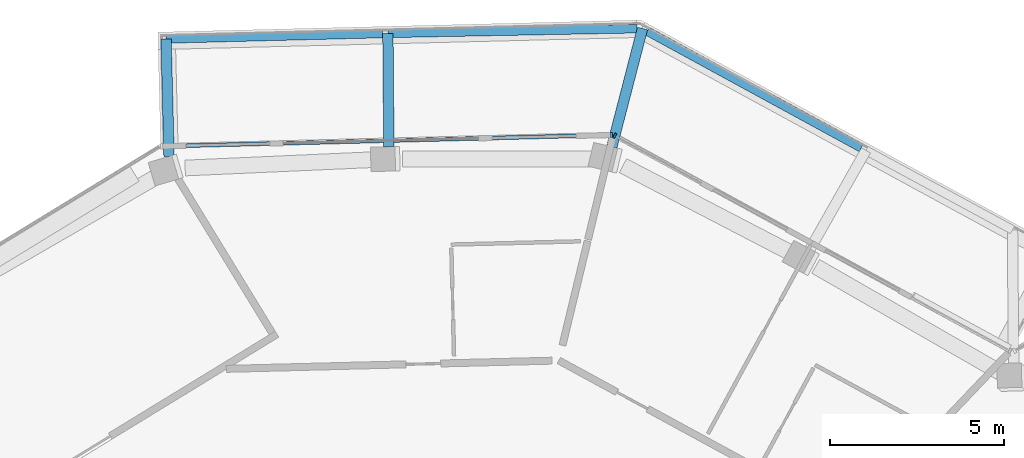
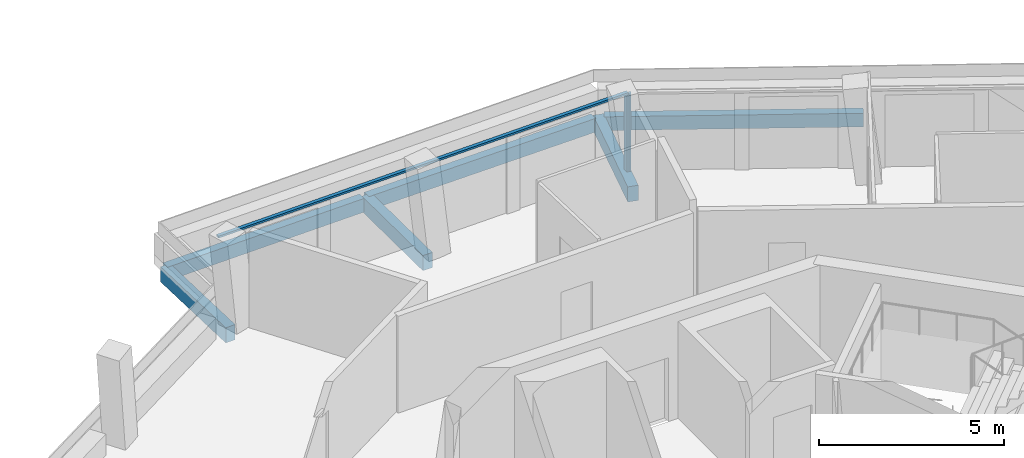
# One storey, part 10 of 26: 6 beams, 3 members, 2 elements without a shape of their own.
"""IFC4 building model written with IfcOpenShell, lengths in metres."""

import ifcopenshell
import ifcopenshell.guid

model = None  # the IFC model being written
_history = None  # IfcOwnerHistory: only IFC2X3 demands one
_inside = {}  # id of a spatial element -> (the spatial element, [elements in it])
_under = {}  # id of a project, library or spatial element -> (it, [spatial elements below it])
_declared = {}  # id of a project -> (the project, [libraries it declares])
_typed = {}  # id of a type object -> (the type object, [elements of that type])
_made_of = {}  # id of a material, layer set ... -> (it, [elements and type objects made of it])


def new_model(schema):
    """Start an empty IFC model of exactly this schema.

    Asked for "IFC4X3", IfcOpenShell would pick the latest addendum, in which some entities
    have other attributes; the version numbers below select the first issue.
    IFC2X3 requires an IfcOwnerHistory on every rooted entity: one is made here for all.
    """
    global model, _history
    if schema == "IFC4X3":
        model = ifcopenshell.file(schema_version=(4, 3, 0, 0))
    else:
        model = ifcopenshell.file(schema=schema)
    _inside.clear()
    _under.clear()
    _declared.clear()
    _typed.clear()
    _made_of.clear()
    _history = None
    if model.schema == "IFC2X3":
        org = make("IfcOrganization", Name="unknown")
        user = make(
            "IfcPersonAndOrganization",
            ThePerson=make("IfcPerson", FamilyName="unknown"),
            TheOrganization=org,
        )
        app = make(
            "IfcApplication",
            ApplicationDeveloper=org,
            Version="unknown",
            ApplicationFullName="unknown",
            ApplicationIdentifier="unknown",
        )
        _history = make(
            "IfcOwnerHistory",
            OwningUser=user,
            OwningApplication=app,
            ChangeAction="ADDED",
            CreationDate=0,
        )
    return model


def make(cls, **values):
    """One entity of the class cls with the attributes given. An attribute that is None is left unset."""
    return model.create_entity(
        cls, **{name: value for name, value in values.items() if value is not None}
    )


def rooted(cls, **values):
    """An entity with a GlobalId (a new one), such as an element, a storey or a relation."""
    return make(cls, GlobalId=ifcopenshell.guid.new(), OwnerHistory=_history, **values)


def si_unit(unit_type, name, prefix=None):
    """IfcSIUnit, for example si_unit("LENGTHUNIT", "METRE", prefix="MILLI")."""
    return make("IfcSIUnit", UnitType=unit_type, Prefix=prefix, Name=name)


def assignment(units):
    """IfcUnitAssignment: the units of a project."""
    return None if units is None else make("IfcUnitAssignment", Units=units)


def point(xyz):
    """IfcCartesianPoint."""
    return None if xyz is None else make("IfcCartesianPoint", Coordinates=xyz)


def direction(xyz):
    """IfcDirection."""
    return None if xyz is None else make("IfcDirection", DirectionRatios=xyz)


def frame(location, z_axis=None, x_axis=None):
    """IfcAxis2Placement3D, a coordinate frame: its origin and axes. An axis left out is left unset."""
    return make(
        "IfcAxis2Placement3D",
        Location=point(location),
        Axis=direction(z_axis),
        RefDirection=direction(x_axis),
    )


def frame_2d(location, x_axis=None):
    """IfcAxis2Placement2D, a coordinate frame in the plane: its origin and x axis."""
    return make(
        "IfcAxis2Placement2D", Location=point(location), RefDirection=direction(x_axis)
    )


def origin():
    """The frame at (0, 0, 0) with its axes left unset."""
    return frame((0.0, 0.0, 0.0))


def origin_2d():
    """The frame at (0, 0) in the plane with its x axis left unset."""
    return frame_2d((0.0, 0.0))


def place(relative_to, where):
    """IfcLocalPlacement: puts the frame where relative to a parent placement (None: the world)."""
    return make(
        "IfcLocalPlacement", PlacementRelTo=relative_to, RelativePlacement=where
    )


def context(
    kind, dimensions, precision=None, world=None, true_north=None, identifier=None
):
    """IfcGeometricRepresentationContext, for example the 3D "Model" context."""
    return make(
        "IfcGeometricRepresentationContext",
        ContextIdentifier=identifier,
        ContextType=kind,
        CoordinateSpaceDimension=dimensions,
        Precision=precision,
        WorldCoordinateSystem=world,
        TrueNorth=true_north,
    )


def subcontext(parent, identifier, kind, view, scale=None):
    """IfcGeometricRepresentationSubContext, for example "Body" below "Model"."""
    return make(
        "IfcGeometricRepresentationSubContext",
        ContextIdentifier=identifier,
        ContextType=kind,
        ParentContext=parent,
        TargetScale=scale,
        TargetView=view,
    )


def project(units=None, contexts=None):
    """IfcProject with its units and contexts."""
    return rooted(
        "IfcProject",
        Name="project",
        RepresentationContexts=contexts,
        UnitsInContext=assignment(units),
    )


def spatial(cls, under=None, at=None, **own):
    """A site, building, storey or space (cls), placed at a placement, below another one or the project."""
    s = rooted(cls, ObjectPlacement=at, **own)
    if under is not None:
        _under.setdefault(under.id(), (under, []))[1].append(s)
    return s


def profile(cls, at=None, kind="AREA", **sizes):
    """A parametric profile (cls). Its sizes go by their IFC names, for example OverallWidth=200.0."""
    return make(cls, ProfileType=kind, Position=at, **sizes)


def rectangle(**sizes):
    """IfcRectangleProfileDef."""
    return profile("IfcRectangleProfileDef", **sizes)


def extrude(swept, where, along, depth):
    """IfcExtrudedAreaSolid: the profile swept, set in the frame where, extruded along a direction by depth."""
    return make(
        "IfcExtrudedAreaSolid",
        SweptArea=swept,
        Position=where,
        ExtrudedDirection=direction(along),
        Depth=depth,
    )


def shape(context_of_items, identifier, shape_type, items):
    """IfcShapeRepresentation: the items that make up one representation, for example the "Body"."""
    return make(
        "IfcShapeRepresentation",
        ContextOfItems=context_of_items,
        RepresentationIdentifier=identifier,
        RepresentationType=shape_type,
        Items=items,
    )


def material(Name=None, Category=None):
    """IfcMaterial."""
    return make("IfcMaterial", Name=Name, Category=Category)


def layer(
    of_material, thickness, ventilated=None, Name=None, Category=None, Priority=None
):
    """IfcMaterialLayer: one layer of a wall or slab, of a material (None: an air gap)."""
    return make(
        "IfcMaterialLayer",
        Material=of_material,
        LayerThickness=thickness,
        IsVentilated=ventilated,
        Name=Name,
        Category=Category,
        Priority=Priority,
    )


def layer_set(layers, Name=None):
    """IfcMaterialLayerSet."""
    return make("IfcMaterialLayerSet", MaterialLayers=layers, LayerSetName=Name)


def material_profile(
    of_material, cross_section, Name=None, Category=None, Priority=None
):
    """IfcMaterialProfile: a cross section and its material."""
    return make(
        "IfcMaterialProfile",
        Name=Name,
        Material=of_material,
        Profile=cross_section,
        Priority=Priority,
        Category=Category,
    )


def profile_set(profiles, Name=None, composite=None):
    """IfcMaterialProfileSet."""
    return make(
        "IfcMaterialProfileSet",
        Name=Name,
        MaterialProfiles=profiles,
        CompositeProfile=composite,
    )


def made_of(thing, what):
    """Note that an element or type object is made of a material, layer set ...; save() writes the relation."""
    if what is not None:
        _made_of.setdefault(what.id(), (what, []))[1].append(thing)
    return thing


def type_object(cls, material=None, **own):
    """A type object (cls), such as IfcWallType, which elements share."""
    return made_of(rooted(cls, **own), material)


def element(
    cls,
    number,
    at=None,
    inside=None,
    cuts=None,
    type_object=None,
    material=None,
    context=None,
    identifier="Body",
    shape_type=None,
    held_by="IfcProductDefinitionShape",
    body=None,
    shapes=None,
    **own,
):
    """One element of the class cls, such as IfcWall. Its Tag is "e" and its number.

    at: its placement. inside: the storey or other place that contains it. cuts: it is an
    opening in that element (IfcRelVoidsElement). A single representation is given by context,
    identifier, shape_type and body (its items); several are given by shapes. held_by: the class
    of the entity that holds the representations. save() writes the other relations.
    """
    e = rooted(cls, Tag="e%d" % number, ObjectPlacement=at, **own)
    if body is not None:
        shapes = [shape(context, identifier, shape_type, body)]
    if shapes is not None:
        e.Representation = make(held_by, Representations=shapes)
    if inside is not None:
        _inside.setdefault(inside.id(), (inside, []))[1].append(e)
    if cuts is not None:
        rooted(
            "IfcRelVoidsElement", RelatingBuildingElement=cuts, RelatedOpeningElement=e
        )
    if type_object is not None:
        _typed.setdefault(type_object.id(), (type_object, []))[1].append(e)
    return made_of(e, material)


def aggregate(whole, parts):
    """IfcRelAggregates: a whole, such as a stair, and the parts it consists of."""
    return rooted("IfcRelAggregates", RelatingObject=whole, RelatedObjects=parts)


def save(model, path):
    """Write the relations noted so far, then the file.

    IfcRelAggregates (storeys below a building ...), IfcRelContainedInSpatialStructure (elements
    in a storey), IfcRelDefinesByType, IfcRelAssociatesMaterial and IfcRelDeclares: one each for
    every whole, place, type object, material and project.
    """
    for whole, parts in _under.values():
        aggregate(whole, parts)
    for where, things in _inside.values():
        rooted(
            "IfcRelContainedInSpatialStructure",
            RelatedElements=things,
            RelatingStructure=where,
        )
    for kind, things in _typed.values():
        rooted("IfcRelDefinesByType", RelatedObjects=things, RelatingType=kind)
    for what, things in _made_of.values():
        rooted("IfcRelAssociatesMaterial", RelatedObjects=things, RelatingMaterial=what)
    for by, libraries in _declared.values():
        rooted("IfcRelDeclares", RelatingContext=by, RelatedDefinitions=libraries)
    model.write(path)


model = new_model("IFC4")

# Units and contexts
model_context = context("Model", 3, precision=1e-05, world=origin(), true_north=direction((0.0, 1.0)))
body_context = subcontext(model_context, "Body", "Model", "MODEL_VIEW")
ifc_project = project(units=[si_unit("LENGTHUNIT", "METRE"), si_unit("AREAUNIT", "SQUARE_METRE"), si_unit("VOLUMEUNIT", "CUBIC_METRE"), si_unit("PLANEANGLEUNIT", "RADIAN"), si_unit("MASSUNIT", "GRAM", prefix="KILO")], contexts=[model_context])

# Site, building, storey
site_placement = place(None, origin())
site = spatial("IfcSite", under=ifc_project, at=site_placement, CompositionType="ELEMENT")
building_placement = place(site_placement, origin())
building = spatial("IfcBuilding", under=site, at=building_placement, Name="Verdalira Terraces Hotel", CompositionType="ELEMENT")
storey_placement = place(building_placement, frame((0.0, 0.0, 284.5)))
storey = spatial("IfcBuildingStorey", under=building, at=storey_placement, Name="L70", CompositionType="ELEMENT", Elevation=284.5)

# Beams
ifc_material_1 = material(Name="Concrete C40", Category="concrete")
ifc_material_profile_1 = material_profile(ifc_material_1, rectangle(XDim=0.300049, YDim=0.5, at=origin_2d()), Name="RC 300X500")
ifc_profile_set_1 = profile_set([ifc_material_profile_1], Name="Concrete C40")
beam_type_1 = type_object("IfcBeamType", Name="Balcony cantilever beam RC 300X500 C40", PredefinedType="BEAM", material=ifc_profile_set_1)
beam_1_placement = place(storey_placement, frame((5.831543, 23.999268, -0.560059), z_axis=(0.250696013, 0.96806586, 0.0), x_axis=(-0.96806586, 0.250696013, 0.0)))
element("IfcBeam", 1, at=beam_1_placement, inside=storey, type_object=beam_type_1, Name="Balcony cantilever beam R39-3", PredefinedType="BEAM", context=body_context, shape_type="SweptSolid", body=[
    extrude(rectangle(XDim=0.300049, YDim=0.5, at=origin_2d()), origin(), (0.0, 0.0, 1.0), 3.501953),
])
beam_2_placement = place(storey_placement, frame((-0.5625, 24.001465, -0.560059), z_axis=(-0.008336173, 0.999965254, 0.0), x_axis=(-0.999965254, -0.008336173, 0.0)))
element("IfcBeam", 2, at=beam_2_placement, inside=storey, type_object=beam_type_1, Name="Balcony cantilever beam R39-4", PredefinedType="BEAM", context=body_context, shape_type="SweptSolid", body=[
    extrude(rectangle(XDim=0.300049, YDim=0.5, at=origin_2d()), origin(), (0.0, 0.0, 1.0), 3.250732),
])
beam_3_placement = place(storey_placement, frame((-6.86499, 23.723145, -0.560059), z_axis=(-0.025136982, 0.999684016, 0.0), x_axis=(-0.999684016, -0.025136982, 0.0)))
element("IfcBeam", 3, at=beam_3_placement, inside=storey, type_object=beam_type_1, Name="Balcony cantilever beam R39-5", PredefinedType="BEAM", context=body_context, shape_type="SweptSolid", body=[
    extrude(rectangle(XDim=0.300049, YDim=0.5, at=origin_2d()), origin(), (0.0, 0.0, 1.0), 3.370117),
])
ifc_material_2 = material(Name="Concrete C40", Category="concrete")
ifc_material_profile_2 = material_profile(ifc_material_2, rectangle(XDim=0.25, YDim=0.449951, at=origin_2d()), Name="RC 250X450")
ifc_profile_set_2 = profile_set([ifc_material_profile_2], Name="Concrete C40")
beam_type_2 = type_object("IfcBeamType", Name="Balcony edge beam RC 250X450 C40", PredefinedType="BEAM", material=ifc_profile_set_2)
beam_4_placement = place(storey_placement, frame((12.983887, 23.967773, -0.534912), z_axis=(-0.87793827, 0.478773845, 0.0), x_axis=(-0.478773845, -0.87793827, 0.0)))
element("IfcBeam", 4, at=beam_4_placement, inside=storey, type_object=beam_type_2, Name="Balcony edge beam R39-2", PredefinedType="BEAM", context=body_context, shape_type="SweptSolid", body=[
    extrude(rectangle(XDim=0.25, YDim=0.449951, at=origin_2d()), origin(), (0.0, 0.0, 1.0), 6.992188),
])
beam_5_placement = place(storey_placement, frame((6.553711, 27.386475, -0.534912), z_axis=(-0.999823371, -0.018794315, 0.0), x_axis=(0.018794315, -0.999823371, 0.0)))
element("IfcBeam", 5, at=beam_5_placement, inside=storey, type_object=beam_type_2, Name="Balcony edge beam R39-3", PredefinedType="BEAM", context=body_context, shape_type="SweptSolid", body=[
    extrude(rectangle(XDim=0.25, YDim=0.449951, at=origin_2d()), origin(), (0.0, 0.0, 1.0), 7.144531),
])
beam_6_placement = place(storey_placement, frame((-0.739502, 27.248291, -0.534912), z_axis=(-0.99968462, -0.025112964, 0.0), x_axis=(0.025112964, -0.99968462, 0.0)))
element("IfcBeam", 6, at=beam_6_placement, inside=storey, type_object=beam_type_2, Name="Balcony edge beam R39-4", PredefinedType="BEAM", context=body_context, shape_type="SweptSolid", body=[
    extrude(rectangle(XDim=0.25, YDim=0.449951, at=origin_2d()), origin(), (0.0, 0.0, 1.0), 6.212158),
])

# Curtain wall, member
ifc_material_3 = material(Name="Clear glass", Category="glass")
ifc_layer = layer(ifc_material_3, 0.14990234375)
ifc_layer_set = layer_set([ifc_layer], Name="CW1 curtain wall")
curtain_wall_type = type_object("IfcCurtainWallType", Name="CW1 curtain wall", PredefinedType="NOTDEFINED", material=ifc_layer_set)
curtain_wall_1_placement = place(storey_placement, origin())
curtain_wall_1 = element("IfcCurtainWall", 7, at=curtain_wall_1_placement, inside=storey, type_object=curtain_wall_type, Name="CW1 curtain wall L70 edge 39", PredefinedType="NOTDEFINED")
ifc_material_4 = material(Name="Terracotta frame", Category="masonry")
ifc_material_profile_3 = material_profile(ifc_material_4, rectangle(XDim=0.060059, YDim=0.149902, at=origin_2d()), Name="MU 60x150")
ifc_profile_set_3 = profile_set([ifc_material_profile_3], Name="Terracotta frame")
member_type_1 = type_object("IfcMemberType", Name="CW1 mullion 60x150", PredefinedType="MULLION", material=ifc_profile_set_3)
member_1_placement = place(storey_placement, frame((5.914062, 24.314697, 0.0), z_axis=(0.0, 0.0, 1.0), x_axis=(-0.878316951, 0.478078794, 0.0)))
member_1 = element("IfcMember", 8, at=member_1_placement, type_object=member_type_1, Name="CW1 mullion", PredefinedType="MULLION", context=body_context, shape_type="SweptSolid", body=[
    extrude(rectangle(XDim=0.060059, YDim=0.149902, at=origin_2d()), origin(), (0.0, 0.0, 1.0), 2.524902),
])
aggregate(curtain_wall_1, [member_1])

# Curtain wall, members
curtain_wall_2_placement = place(storey_placement, origin())
curtain_wall_2 = element("IfcCurtainWall", 9, at=curtain_wall_2_placement, inside=storey, type_object=curtain_wall_type, Name="CW1 curtain wall L70 edge 40", PredefinedType="NOTDEFINED")
member_2_placement = place(storey_placement, frame((5.820068, 24.337158, 0.0), z_axis=(0.0, 0.0, 1.0), x_axis=(-0.999684189, -0.025130095, 0.0)))
member_2 = element("IfcMember", 10, at=member_2_placement, type_object=member_type_1, Name="CW1 mullion", PredefinedType="MULLION", context=body_context, shape_type="SweptSolid", body=[
    extrude(rectangle(XDim=0.060059, YDim=0.149902, at=origin_2d()), origin(), (0.0, 0.0, 1.0), 2.524902),
])
ifc_material_5 = material(Name="Terracotta frame", Category="masonry")
ifc_material_profile_4 = material_profile(ifc_material_5, rectangle(XDim=0.110107, YDim=0.064941, at=origin_2d()), Name="TR 65x110")
ifc_profile_set_4 = profile_set([ifc_material_profile_4], Name="Terracotta frame")
member_type_2 = type_object("IfcMemberType", Name="CW1 transom 65x110", PredefinedType="USERDEFINED", material=ifc_profile_set_4)
member_3_placement = place(storey_placement, frame((5.850098, 24.338135, 2.557617), z_axis=(-0.999684189, -0.025130094, 0.0), x_axis=(0.025130094, -0.999684189, 0.0)))
member_3 = element("IfcMember", 11, at=member_3_placement, type_object=member_type_2, Name="CW1 transom", ObjectType="TRANSOM", PredefinedType="USERDEFINED", context=body_context, shape_type="SweptSolid", body=[
    extrude(rectangle(XDim=0.110107, YDim=0.064941, at=origin_2d()), origin(), (0.0, 0.0, 1.0), 12.959961),
])
aggregate(curtain_wall_2, [member_2, member_3])

save(model, "model.ifc")
